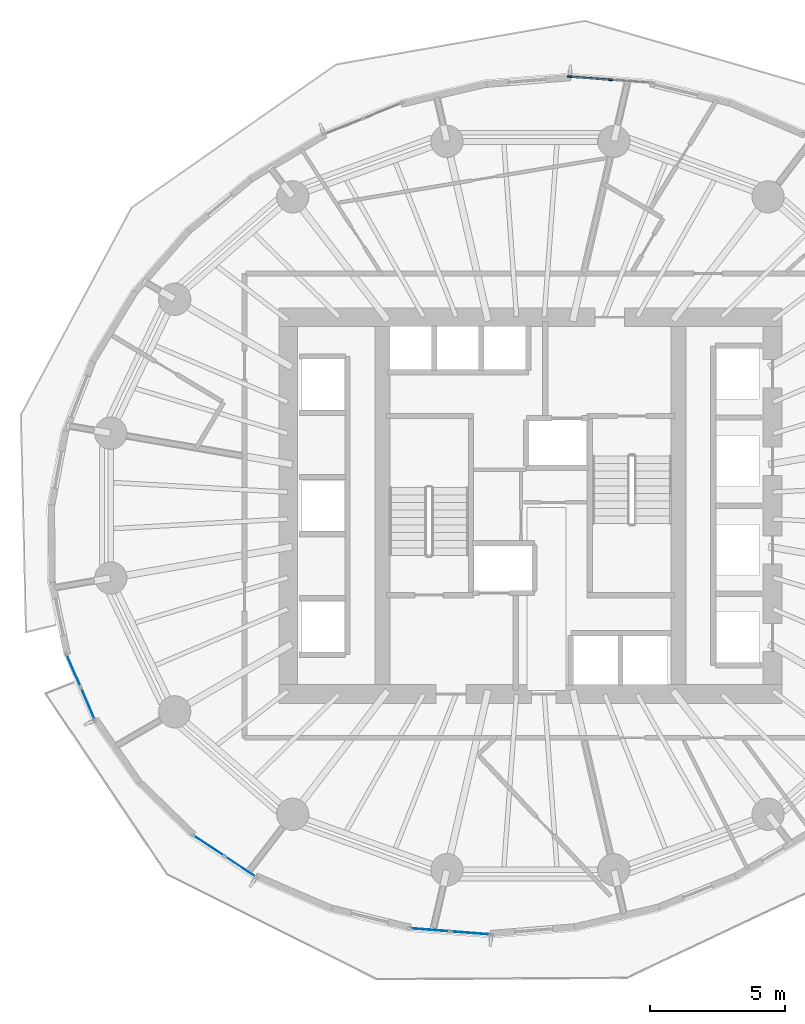
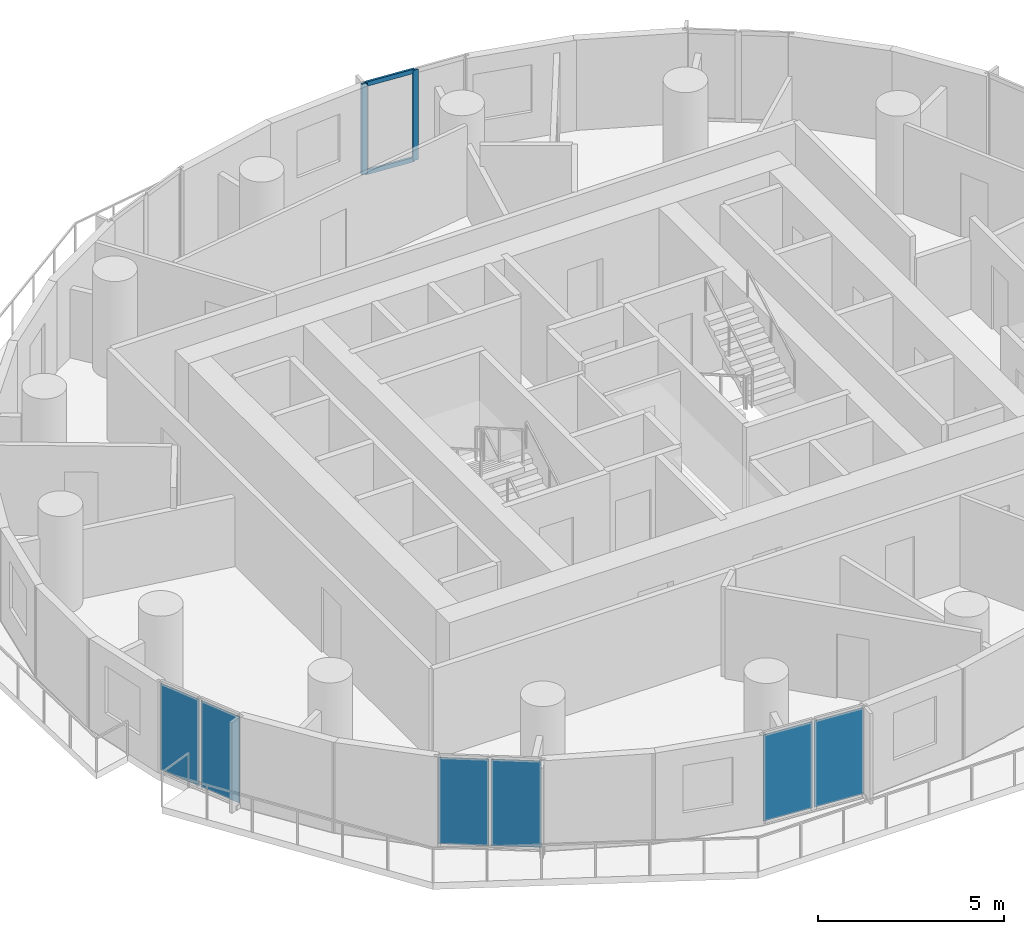
# One storey, part 5 of 14: 6 plates, 4 members, 4 elements without a shape of their own.
"""IFC4 building model written with IfcOpenShell, lengths in metres."""

from ifc_helpers import new_model, si_unit, direction, frame, origin, origin_2d, place, context, subcontext, project, spatial, rectangle, extrude, material, layer, layer_set, material_profile, profile_set, type_object, element, aggregate, save


model = new_model("IFC4")

# Units and contexts
model_context = context("Model", 3, precision=1e-05, world=origin(), true_north=direction((0.0, 1.0)))
body_context = subcontext(model_context, "Body", "Model", "MODEL_VIEW")
ifc_project = project(units=[si_unit("LENGTHUNIT", "METRE"), si_unit("AREAUNIT", "SQUARE_METRE"), si_unit("VOLUMEUNIT", "CUBIC_METRE"), si_unit("PLANEANGLEUNIT", "RADIAN"), si_unit("MASSUNIT", "GRAM", prefix="KILO")], contexts=[model_context])

# Site, building, storey
site_placement = place(None, origin())
site = spatial("IfcSite", under=ifc_project, at=site_placement, CompositionType="ELEMENT")
building_placement = place(site_placement, origin())
building = spatial("IfcBuilding", under=site, at=building_placement, Name="Veldorim Arch Residences", CompositionType="ELEMENT")
storey_placement = place(building_placement, frame((0.0, 0.0, 77.280029296875)))
storey = spatial("IfcBuildingStorey", under=building, at=storey_placement, Name="L22", CompositionType="ELEMENT", Elevation=77.280029296875)

# Curtain wall, members
ifc_material_1 = material(Name="Aluminium", Category="aluminium")
curtain_wall_type = type_object("IfcCurtainWallType", Name="Zone 2 Solar-Control Unitised Curtain Wall", PredefinedType="NOTDEFINED", material=ifc_material_1)
curtain_wall_1_placement = place(storey_placement, origin())
curtain_wall_1 = element("IfcCurtainWall", 1, at=curtain_wall_1_placement, inside=storey, type_object=curtain_wall_type, Name="L22 unitised curtain wall bay 07", PredefinedType="NOTDEFINED")
ifc_material_2 = material(Name="Aluminium", Category="aluminium")
ifc_material_profile_1 = material_profile(ifc_material_2, rectangle(XDim=0.06494140625, YDim=0.1650390625, at=origin_2d()), Name="ALU_MUL_65x165")
ifc_profile_set_1 = profile_set([ifc_material_profile_1], Name="Aluminium")
member_type_1 = type_object("IfcMemberType", Name="Zone 2 Solar-Control Unitised Curtain Wall Mullion 65x165", PredefinedType="MULLION", material=ifc_profile_set_1)
member_1_placement = place(storey_placement, frame((33.45849609375, 39.943115234375, 0.0), z_axis=(0.0, 0.0, 1.0), x_axis=(0.076696498885, 0.997054485502, 0.0)))
member_1 = element("IfcMember", 2, at=member_1_placement, type_object=member_type_1, Name="CW-Z2 mullion 1", PredefinedType="MULLION", context=body_context, shape_type="SweptSolid", body=[
    extrude(rectangle(XDim=0.06494140625, YDim=0.1650390625, at=origin_2d()), origin(), (0.0, 0.0, 1.0), 2.9599609375),
])
member_2_placement = place(storey_placement, frame((34.972412109375, 39.82666015625, 0.0), z_axis=(0.0, 0.0, 1.0), x_axis=(0.076696498885, 0.997054485502, 0.0)))
member_2 = element("IfcMember", 3, at=member_2_placement, type_object=member_type_1, Name="CW-Z2 mullion 2", PredefinedType="MULLION", context=body_context, shape_type="SweptSolid", body=[
    extrude(rectangle(XDim=0.06494140625, YDim=0.1650390625, at=origin_2d()), origin(), (0.0, 0.0, 1.0), 2.9599609375),
])
ifc_material_3 = material(Name="Aluminium", Category="aluminium")
ifc_material_profile_2 = material_profile(ifc_material_3, rectangle(XDim=0.06494140625, YDim=0.14501953125, at=origin_2d()), Name="ALU_TRN_65x145")
ifc_profile_set_2 = profile_set([ifc_material_profile_2], Name="Aluminium")
member_type_2 = type_object("IfcMemberType", Name="Zone 2 Solar-Control Unitised Curtain Wall Transom 65x145", PredefinedType="USERDEFINED", material=ifc_profile_set_2)
member_3_placement = place(storey_placement, frame((33.49072265625, 39.940673828125, 0.032470703125), z_axis=(0.99704954324, -0.076760721237, 0.0), x_axis=(0.076760721237, 0.99704954324, 0.0)))
member_3 = element("IfcMember", 4, at=member_3_placement, type_object=member_type_2, Name="CW-Z2 transom 1.1", ObjectType="TRANSOM", PredefinedType="USERDEFINED", context=body_context, shape_type="SweptSolid", body=[
    extrude(rectangle(XDim=0.06494140625, YDim=0.14501953125, at=origin_2d()), origin(), (0.0, 0.0, 1.0), 1.45361328125),
])
member_4_placement = place(storey_placement, frame((33.49072265625, 39.940673828125, 2.927490234375), z_axis=(0.99704954324, -0.076760721237, 0.0), x_axis=(0.076760721237, 0.99704954324, 0.0)))
member_4 = element("IfcMember", 5, at=member_4_placement, type_object=member_type_2, Name="CW-Z2 transom 1.2", ObjectType="TRANSOM", PredefinedType="USERDEFINED", context=body_context, shape_type="SweptSolid", body=[
    extrude(rectangle(XDim=0.06494140625, YDim=0.14501953125, at=origin_2d()), origin(), (0.0, 0.0, 1.0), 1.45361328125),
])
aggregate(curtain_wall_1, [member_1, member_2, member_3, member_4])

# Curtain wall, plates
curtain_wall_2_placement = place(storey_placement, origin())
curtain_wall_2 = element("IfcCurtainWall", 6, at=curtain_wall_2_placement, inside=storey, type_object=curtain_wall_type, Name="L22 unitised curtain wall bay 19", PredefinedType="NOTDEFINED")
ifc_material_4 = material(Name="Laminated Low-E Glass", Category="glass")
ifc_layer = layer(ifc_material_4, 0.02587890625, Name="Zone 2 Solar-Control Unitised Curtain Wall Glazing Panel 26")
ifc_layer_set = layer_set([ifc_layer], Name="Laminated Low-E Glass")
plate_type = type_object("IfcPlateType", Name="Zone 2 Solar-Control Unitised Curtain Wall Glazing Panel 26", PredefinedType="CURTAIN_PANEL", material=ifc_layer_set)
plate_1_placement = place(storey_placement, frame((15.55322265625, 16.63720703125, 0.06494140625), z_axis=(0.0, 0.0, 1.0), x_axis=(-0.397050688615, 0.917796682643, 0.0)))
plate_1 = element("IfcPlate", 7, at=plate_1_placement, type_object=plate_type, Name="CW-Z2 panel 1.1", PredefinedType="CURTAIN_PANEL", context=body_context, shape_type="SweptSolid", body=[
    extrude(rectangle(XDim=1.28125, YDim=0.02587890625, at=origin_2d()), origin(), (0.0, 0.0, 1.0), 2.830078125),
])
plate_2_placement = place(storey_placement, frame((15.0185546875, 17.872802734375, 0.06494140625), z_axis=(0.0, 0.0, 1.0), x_axis=(-0.397050688615, 0.917796682643, 0.0)))
plate_2 = element("IfcPlate", 8, at=plate_2_placement, type_object=plate_type, Name="CW-Z2 panel 2.1", PredefinedType="CURTAIN_PANEL", context=body_context, shape_type="SweptSolid", body=[
    extrude(rectangle(XDim=1.28125, YDim=0.02587890625, at=origin_2d()), origin(), (0.0, 0.0, 1.0), 2.830078125),
])
aggregate(curtain_wall_2, [plate_1, plate_2])

curtain_wall_3_placement = place(storey_placement, origin())
curtain_wall_3 = element("IfcCurtainWall", 9, at=curtain_wall_3_placement, inside=storey, type_object=curtain_wall_type, Name="L22 unitised curtain wall bay 22", PredefinedType="NOTDEFINED")
plate_3_placement = place(storey_placement, frame((21.222900390625, 10.580322265625, 0.06494140625), z_axis=(0.0, 0.0, 1.0), x_axis=(-0.834172634224, 0.551503414596, 0.0)))
plate_3 = element("IfcPlate", 10, at=plate_3_placement, type_object=plate_type, Name="CW-Z2 panel 1.1", PredefinedType="CURTAIN_PANEL", context=body_context, shape_type="SweptSolid", body=[
    extrude(rectangle(XDim=1.351806640625, YDim=0.02587890625, at=origin_2d()), origin(), (0.0, 0.0, 1.0), 2.830078125),
])
plate_4_placement = place(storey_placement, frame((20.041015625, 11.361572265625, 0.06494140625), z_axis=(0.0, 0.0, 1.0), x_axis=(-0.834172634224, 0.551503414596, 0.0)))
plate_4 = element("IfcPlate", 11, at=plate_4_placement, type_object=plate_type, Name="CW-Z2 panel 2.1", PredefinedType="CURTAIN_PANEL", context=body_context, shape_type="SweptSolid", body=[
    extrude(rectangle(XDim=1.351806640625, YDim=0.02587890625, at=origin_2d()), origin(), (0.0, 0.0, 1.0), 2.830078125),
])
aggregate(curtain_wall_3, [plate_3, plate_4])

curtain_wall_4_placement = place(storey_placement, origin())
curtain_wall_4 = element("IfcCurtainWall", 12, at=curtain_wall_4_placement, inside=storey, type_object=curtain_wall_type, Name="L22 unitised curtain wall bay 25", PredefinedType="NOTDEFINED")
plate_5_placement = place(storey_placement, frame((29.78466796875, 8.115234375, 0.06494140625), z_axis=(0.0, 0.0, 1.0), x_axis=(-0.997054485502, 0.076696498885, 0.0)))
plate_5 = element("IfcPlate", 13, at=plate_5_placement, type_object=plate_type, Name="CW-Z2 panel 1.1", PredefinedType="CURTAIN_PANEL", context=body_context, shape_type="SweptSolid", body=[
    extrude(rectangle(XDim=1.453369140625, YDim=0.02587890625, at=origin_2d()), origin(), (0.0, 0.0, 1.0), 2.830078125),
])
plate_6_placement = place(storey_placement, frame((28.270751953125, 8.231689453125, 0.06494140625), z_axis=(0.0, 0.0, 1.0), x_axis=(-0.997054485502, 0.076696498885, 0.0)))
plate_6 = element("IfcPlate", 14, at=plate_6_placement, type_object=plate_type, Name="CW-Z2 panel 2.1", PredefinedType="CURTAIN_PANEL", context=body_context, shape_type="SweptSolid", body=[
    extrude(rectangle(XDim=1.453369140625, YDim=0.02587890625, at=origin_2d()), origin(), (0.0, 0.0, 1.0), 2.830078125),
])
aggregate(curtain_wall_4, [plate_5, plate_6])

save(model, "model.ifc")
